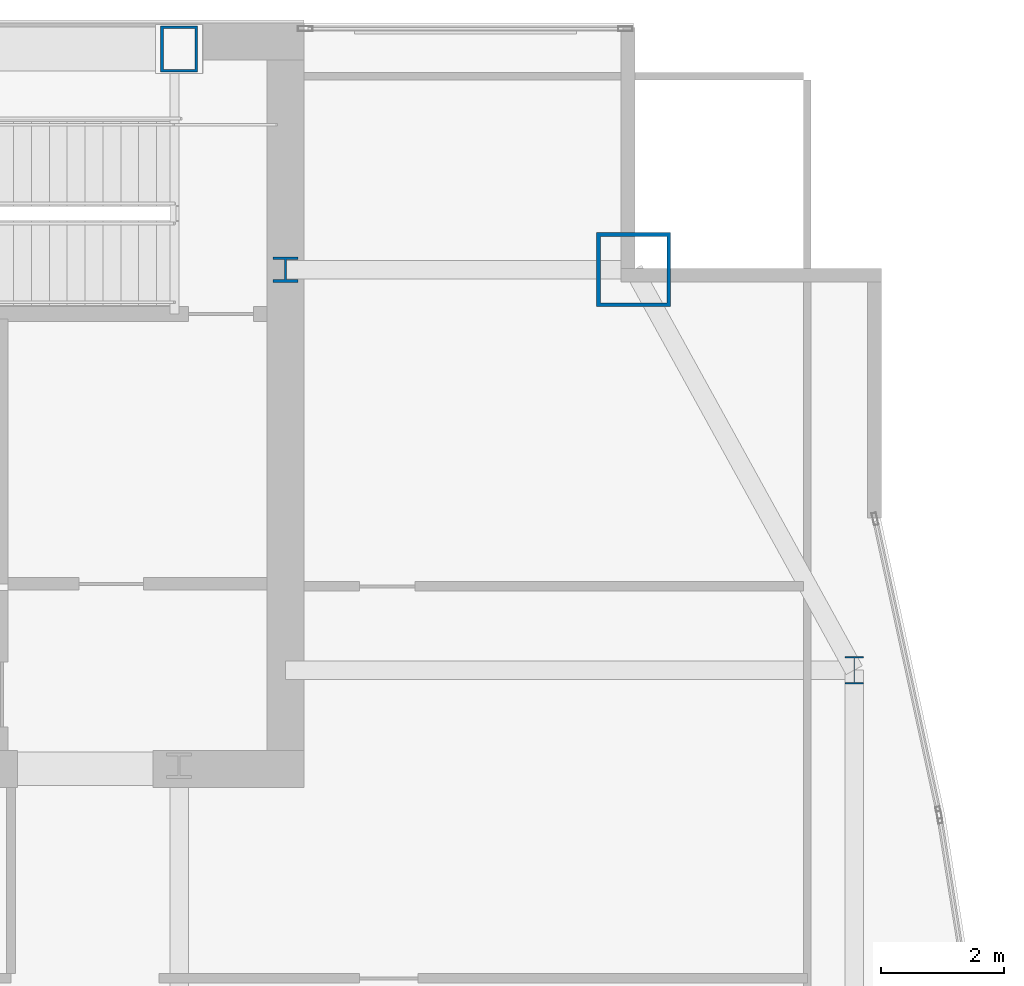
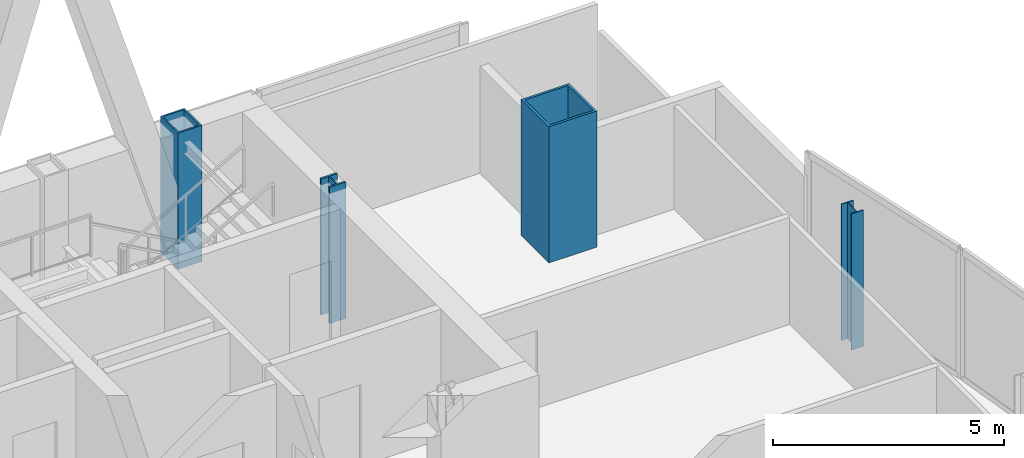
# One storey, part 4 of 33: 4 columns.
"""IFC4 building model written with IfcOpenShell, lengths in metres."""

from ifc_helpers import new_model, si_unit, direction, frame, origin, origin_2d, place, context, subcontext, project, spatial, hollow_rectangle, i_section, extrude, material, material_profile, profile_set, type_object, element, save


model = new_model("IFC4")

# Units and contexts
model_context = context("Model", 3, precision=1e-05, world=origin(), true_north=direction((0.0, 1.0)))
body_context = subcontext(model_context, "Body", "Model", "MODEL_VIEW")
ifc_project = project(units=[si_unit("LENGTHUNIT", "METRE"), si_unit("AREAUNIT", "SQUARE_METRE"), si_unit("VOLUMEUNIT", "CUBIC_METRE"), si_unit("PLANEANGLEUNIT", "RADIAN"), si_unit("MASSUNIT", "GRAM", prefix="KILO")], contexts=[model_context])

# Site, building, storey
site_placement = place(None, origin())
site = spatial("IfcSite", under=ifc_project, at=site_placement, CompositionType="ELEMENT")
building_placement = place(site_placement, origin())
building = spatial("IfcBuilding", under=site, at=building_placement, Name="Khoronbel Lancet Exchange", CompositionType="ELEMENT")
storey_placement = place(building_placement, frame((0.0, 0.0, 210.199951171875)))
storey = spatial("IfcBuildingStorey", under=building, at=storey_placement, Name="L53", CompositionType="ELEMENT", Elevation=210.199951171875)

# Columns
ifc_material_1 = material(Name="Steel S460", Category="steel")
ifc_material_profile_1 = material_profile(ifc_material_1, hollow_rectangle(XDim=0.60009765625, YDim=0.75, WallThickness=0.044921875, at=origin_2d()), Name="BOX 750x600x45")
ifc_profile_set_1 = profile_set([ifc_material_profile_1], Name="Steel S460")
column_type_1 = type_object("IfcColumnType", Name="COL-EC3", PredefinedType="COLUMN", material=ifc_profile_set_1)
column_1_placement = place(storey_placement, frame((54.675048828125, 53.280029296875, 0.0), z_axis=(0.0, 0.0, 1.0), x_axis=(1.0, 0.0, 0.0)))
element("IfcColumn", 1, at=column_1_placement, inside=storey, type_object=column_type_1, Name="Structural column NC-E2 L53", PredefinedType="COLUMN", context=body_context, shape_type="SweptSolid", body=[
    extrude(hollow_rectangle(XDim=0.60009765625, YDim=0.75, WallThickness=0.044921875, at=origin_2d()), origin(), (0.0, 0.0, 1.0), 3.60009765625),
])
ifc_material_2 = material(Name="Steel S355", Category="steel")
ifc_material_profile_2 = material_profile(ifc_material_2, i_section(OverallWidth=0.406005859375, OverallDepth=0.416015625, WebThickness=0.02978515625, FlangeThickness=0.048095703125, at=origin_2d()), Name="HD 400x382")
ifc_profile_set_2 = profile_set([ifc_material_profile_2], Name="Steel S355")
column_type_2 = type_object("IfcColumnType", Name="COL-IC3", PredefinedType="COLUMN", material=ifc_profile_set_2)
column_2_placement = place(storey_placement, frame((56.39990234375, 49.699951171875, 0.0), z_axis=(0.0, 0.0, 1.0), x_axis=(1.0, 0.0, 0.0)))
element("IfcColumn", 2, at=column_2_placement, inside=storey, type_object=column_type_2, Name="Core-flank plumb transfer column CFE L53", PredefinedType="COLUMN", context=body_context, shape_type="SweptSolid", body=[
    extrude(i_section(OverallWidth=0.406005859375, OverallDepth=0.416015625, WebThickness=0.02978515625, FlangeThickness=0.048095703125, at=origin_2d()), origin(), (0.0, 0.0, 1.0), 3.60009765625),
])
ifc_material_profile_3 = material_profile(ifc_material_2, i_section(OverallWidth=0.300048828125, OverallDepth=0.449951171875, WebThickness=0.013916015625, FlangeThickness=0.02587890625, at=origin_2d()), Name="HEB 450")
ifc_profile_set_3 = profile_set([ifc_material_profile_3], Name="Steel S355")
column_type_3 = type_object("IfcColumnType", Name="COL-LC2", PredefinedType="COLUMN", material=ifc_profile_set_3)
column_3_placement = place(storey_placement, frame((65.6298828125, 43.199951171875, 0.0), z_axis=(0.0, 0.0, 1.0), x_axis=(1.0, 0.0, 0.0)))
element("IfcColumn", 3, at=column_3_placement, inside=storey, type_object=column_type_3, Name="Structural column EC-4 L53", PredefinedType="COLUMN", context=body_context, shape_type="SweptSolid", body=[
    extrude(i_section(OverallWidth=0.300048828125, OverallDepth=0.449951171875, WebThickness=0.013916015625, FlangeThickness=0.02587890625, at=origin_2d()), origin(), (0.0, 0.0, 1.0), 3.60009765625),
])
ifc_material_profile_4 = material_profile(ifc_material_1, hollow_rectangle(XDim=1.199951171875, YDim=1.199951171875, WallThickness=0.06005859375, at=origin_2d()), Name="BOX 1200x1200x60")
ifc_profile_set_4 = profile_set([ifc_material_profile_4], Name="Steel S460")
column_type_4 = type_object("IfcColumnType", Name="COL-MC5", PredefinedType="COLUMN", material=ifc_profile_set_4)
column_4_placement = place(storey_placement, frame((62.050048828125, 49.699951171875, 0.0), z_axis=(0.0, 0.0, 1.0), x_axis=(1.0, 0.0, 0.0)))
element("IfcColumn", 4, at=column_4_placement, inside=storey, type_object=column_type_4, Name="Structural column MC-NE L53", PredefinedType="COLUMN", context=body_context, shape_type="SweptSolid", body=[
    extrude(hollow_rectangle(XDim=1.199951171875, YDim=1.199951171875, WallThickness=0.06005859375, at=origin_2d()), origin(), (0.0, 0.0, 1.0), 3.60009765625),
])

save(model, "model.ifc")
